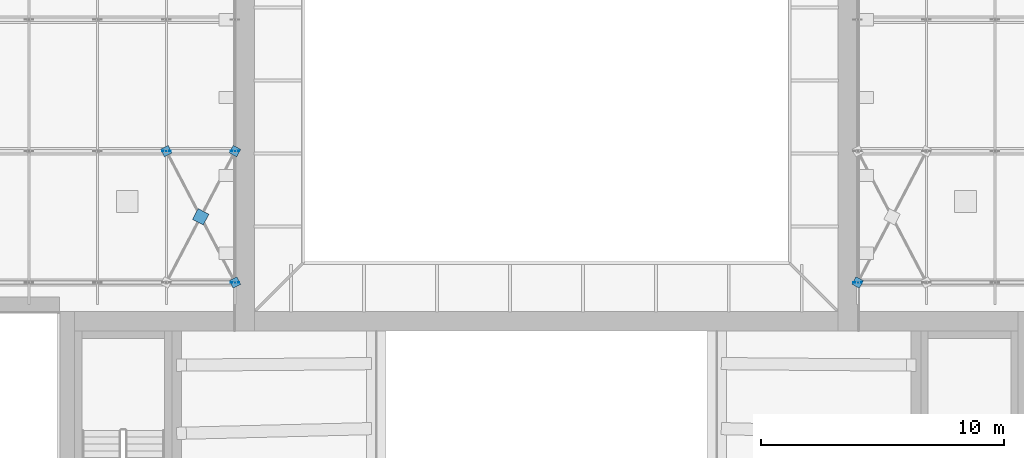
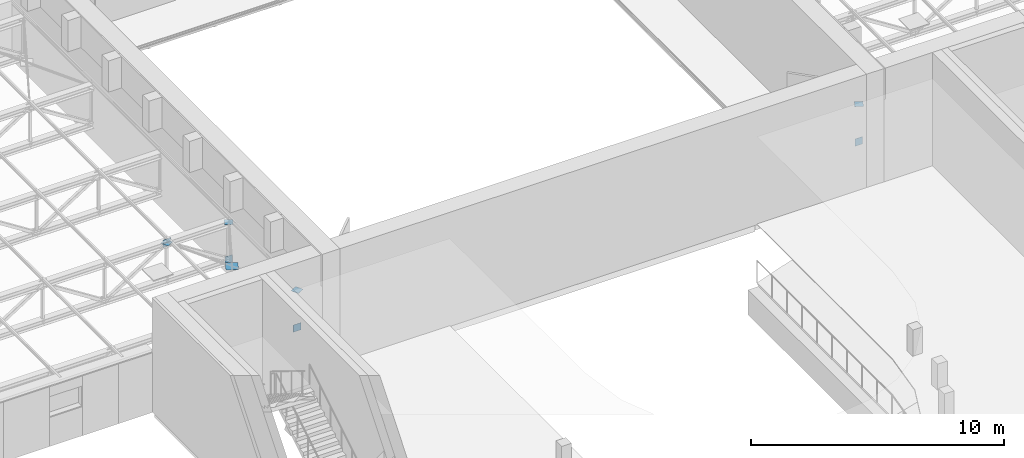
# One storey, part 94 of 132: 9 discrete accessories.
"""IFC4 building model written with IfcOpenShell, lengths in metres."""

import ifcopenshell
import ifcopenshell.guid

model = None  # the IFC model being written
_history = None  # IfcOwnerHistory: only IFC2X3 demands one
_inside = {}  # id of a spatial element -> (the spatial element, [elements in it])
_under = {}  # id of a project, library or spatial element -> (it, [spatial elements below it])
_declared = {}  # id of a project -> (the project, [libraries it declares])
_typed = {}  # id of a type object -> (the type object, [elements of that type])
_made_of = {}  # id of a material, layer set ... -> (it, [elements and type objects made of it])


def new_model(schema):
    """Start an empty IFC model of exactly this schema.

    Asked for "IFC4X3", IfcOpenShell would pick the latest addendum, in which some entities
    have other attributes; the version numbers below select the first issue.
    IFC2X3 requires an IfcOwnerHistory on every rooted entity: one is made here for all.
    """
    global model, _history
    if schema == "IFC4X3":
        model = ifcopenshell.file(schema_version=(4, 3, 0, 0))
    else:
        model = ifcopenshell.file(schema=schema)
    _inside.clear()
    _under.clear()
    _declared.clear()
    _typed.clear()
    _made_of.clear()
    _history = None
    if model.schema == "IFC2X3":
        org = make("IfcOrganization", Name="unknown")
        user = make(
            "IfcPersonAndOrganization",
            ThePerson=make("IfcPerson", FamilyName="unknown"),
            TheOrganization=org,
        )
        app = make(
            "IfcApplication",
            ApplicationDeveloper=org,
            Version="unknown",
            ApplicationFullName="unknown",
            ApplicationIdentifier="unknown",
        )
        _history = make(
            "IfcOwnerHistory",
            OwningUser=user,
            OwningApplication=app,
            ChangeAction="ADDED",
            CreationDate=0,
        )
    return model


def make(cls, **values):
    """One entity of the class cls with the attributes given. An attribute that is None is left unset."""
    return model.create_entity(
        cls, **{name: value for name, value in values.items() if value is not None}
    )


def rooted(cls, **values):
    """An entity with a GlobalId (a new one), such as an element, a storey or a relation."""
    return make(cls, GlobalId=ifcopenshell.guid.new(), OwnerHistory=_history, **values)


def si_unit(unit_type, name, prefix=None):
    """IfcSIUnit, for example si_unit("LENGTHUNIT", "METRE", prefix="MILLI")."""
    return make("IfcSIUnit", UnitType=unit_type, Prefix=prefix, Name=name)


def assignment(units):
    """IfcUnitAssignment: the units of a project."""
    return None if units is None else make("IfcUnitAssignment", Units=units)


def point(xyz):
    """IfcCartesianPoint."""
    return None if xyz is None else make("IfcCartesianPoint", Coordinates=xyz)


def direction(xyz):
    """IfcDirection."""
    return None if xyz is None else make("IfcDirection", DirectionRatios=xyz)


def frame(location, z_axis=None, x_axis=None):
    """IfcAxis2Placement3D, a coordinate frame: its origin and axes. An axis left out is left unset."""
    return make(
        "IfcAxis2Placement3D",
        Location=point(location),
        Axis=direction(z_axis),
        RefDirection=direction(x_axis),
    )


def frame_2d(location, x_axis=None):
    """IfcAxis2Placement2D, a coordinate frame in the plane: its origin and x axis."""
    return make(
        "IfcAxis2Placement2D", Location=point(location), RefDirection=direction(x_axis)
    )


def origin():
    """The frame at (0, 0, 0) with its axes left unset."""
    return frame((0.0, 0.0, 0.0))


def origin_2d():
    """The frame at (0, 0) in the plane with its x axis left unset."""
    return frame_2d((0.0, 0.0))


def place(relative_to, where):
    """IfcLocalPlacement: puts the frame where relative to a parent placement (None: the world)."""
    return make(
        "IfcLocalPlacement", PlacementRelTo=relative_to, RelativePlacement=where
    )


def context(
    kind, dimensions, precision=None, world=None, true_north=None, identifier=None
):
    """IfcGeometricRepresentationContext, for example the 3D "Model" context."""
    return make(
        "IfcGeometricRepresentationContext",
        ContextIdentifier=identifier,
        ContextType=kind,
        CoordinateSpaceDimension=dimensions,
        Precision=precision,
        WorldCoordinateSystem=world,
        TrueNorth=true_north,
    )


def subcontext(parent, identifier, kind, view, scale=None):
    """IfcGeometricRepresentationSubContext, for example "Body" below "Model"."""
    return make(
        "IfcGeometricRepresentationSubContext",
        ContextIdentifier=identifier,
        ContextType=kind,
        ParentContext=parent,
        TargetScale=scale,
        TargetView=view,
    )


def project(units=None, contexts=None):
    """IfcProject with its units and contexts."""
    return rooted(
        "IfcProject",
        Name="project",
        RepresentationContexts=contexts,
        UnitsInContext=assignment(units),
    )


def spatial(cls, under=None, at=None, **own):
    """A site, building, storey or space (cls), placed at a placement, below another one or the project."""
    s = rooted(cls, ObjectPlacement=at, **own)
    if under is not None:
        _under.setdefault(under.id(), (under, []))[1].append(s)
    return s


def profile(cls, at=None, kind="AREA", **sizes):
    """A parametric profile (cls). Its sizes go by their IFC names, for example OverallWidth=200.0."""
    return make(cls, ProfileType=kind, Position=at, **sizes)


def rectangle(**sizes):
    """IfcRectangleProfileDef."""
    return profile("IfcRectangleProfileDef", **sizes)


def extrude(swept, where, along, depth):
    """IfcExtrudedAreaSolid: the profile swept, set in the frame where, extruded along a direction by depth."""
    return make(
        "IfcExtrudedAreaSolid",
        SweptArea=swept,
        Position=where,
        ExtrudedDirection=direction(along),
        Depth=depth,
    )


def shape(context_of_items, identifier, shape_type, items):
    """IfcShapeRepresentation: the items that make up one representation, for example the "Body"."""
    return make(
        "IfcShapeRepresentation",
        ContextOfItems=context_of_items,
        RepresentationIdentifier=identifier,
        RepresentationType=shape_type,
        Items=items,
    )


def material(Name=None, Category=None):
    """IfcMaterial."""
    return make("IfcMaterial", Name=Name, Category=Category)


def layer(
    of_material, thickness, ventilated=None, Name=None, Category=None, Priority=None
):
    """IfcMaterialLayer: one layer of a wall or slab, of a material (None: an air gap)."""
    return make(
        "IfcMaterialLayer",
        Material=of_material,
        LayerThickness=thickness,
        IsVentilated=ventilated,
        Name=Name,
        Category=Category,
        Priority=Priority,
    )


def layer_set(layers, Name=None):
    """IfcMaterialLayerSet."""
    return make("IfcMaterialLayerSet", MaterialLayers=layers, LayerSetName=Name)


def made_of(thing, what):
    """Note that an element or type object is made of a material, layer set ...; save() writes the relation."""
    if what is not None:
        _made_of.setdefault(what.id(), (what, []))[1].append(thing)
    return thing


def type_object(cls, material=None, **own):
    """A type object (cls), such as IfcWallType, which elements share."""
    return made_of(rooted(cls, **own), material)


def element(
    cls,
    number,
    at=None,
    inside=None,
    cuts=None,
    type_object=None,
    material=None,
    context=None,
    identifier="Body",
    shape_type=None,
    held_by="IfcProductDefinitionShape",
    body=None,
    shapes=None,
    **own,
):
    """One element of the class cls, such as IfcWall. Its Tag is "e" and its number.

    at: its placement. inside: the storey or other place that contains it. cuts: it is an
    opening in that element (IfcRelVoidsElement). A single representation is given by context,
    identifier, shape_type and body (its items); several are given by shapes. held_by: the class
    of the entity that holds the representations. save() writes the other relations.
    """
    e = rooted(cls, Tag="e%d" % number, ObjectPlacement=at, **own)
    if body is not None:
        shapes = [shape(context, identifier, shape_type, body)]
    if shapes is not None:
        e.Representation = make(held_by, Representations=shapes)
    if inside is not None:
        _inside.setdefault(inside.id(), (inside, []))[1].append(e)
    if cuts is not None:
        rooted(
            "IfcRelVoidsElement", RelatingBuildingElement=cuts, RelatedOpeningElement=e
        )
    if type_object is not None:
        _typed.setdefault(type_object.id(), (type_object, []))[1].append(e)
    return made_of(e, material)


def aggregate(whole, parts):
    """IfcRelAggregates: a whole, such as a stair, and the parts it consists of."""
    return rooted("IfcRelAggregates", RelatingObject=whole, RelatedObjects=parts)


def save(model, path):
    """Write the relations noted so far, then the file.

    IfcRelAggregates (storeys below a building ...), IfcRelContainedInSpatialStructure (elements
    in a storey), IfcRelDefinesByType, IfcRelAssociatesMaterial and IfcRelDeclares: one each for
    every whole, place, type object, material and project.
    """
    for whole, parts in _under.values():
        aggregate(whole, parts)
    for where, things in _inside.values():
        rooted(
            "IfcRelContainedInSpatialStructure",
            RelatedElements=things,
            RelatingStructure=where,
        )
    for kind, things in _typed.values():
        rooted("IfcRelDefinesByType", RelatedObjects=things, RelatingType=kind)
    for what, things in _made_of.values():
        rooted("IfcRelAssociatesMaterial", RelatedObjects=things, RelatingMaterial=what)
    for by, libraries in _declared.values():
        rooted("IfcRelDeclares", RelatingContext=by, RelatedDefinitions=libraries)
    model.write(path)


model = new_model("IFC4")

# Units and contexts
model_context = context("Model", 3, precision=1e-05, world=origin(), true_north=direction((0.0, 1.0)))
body_context = subcontext(model_context, "Body", "Model", "MODEL_VIEW")
ifc_project = project(units=[si_unit("LENGTHUNIT", "METRE"), si_unit("AREAUNIT", "SQUARE_METRE"), si_unit("VOLUMEUNIT", "CUBIC_METRE"), si_unit("PLANEANGLEUNIT", "RADIAN"), si_unit("MASSUNIT", "GRAM", prefix="KILO")], contexts=[model_context])

# Site, building, storey
site_placement = place(None, origin())
site = spatial("IfcSite", under=ifc_project, at=site_placement, CompositionType="ELEMENT")
building_placement = place(site_placement, origin())
building = spatial("IfcBuilding", under=site, at=building_placement, Name="Lunette Opera House", CompositionType="ELEMENT")
storey_placement = place(building_placement, frame((0.0, 0.0, 17.0)))
storey = spatial("IfcBuildingStorey", under=building, at=storey_placement, Name="L03", CompositionType="ELEMENT", Elevation=17.0)

# Discrete accessories
ifc_material_1 = material(Name="Steel S355", Category="steel")
ifc_layer_1 = layer(ifc_material_1, 0.011962890625)
ifc_layer_set_1 = layer_set([ifc_layer_1], Name="Steel S355")
discrete_accessory_type_1 = type_object("IfcDiscreteAccessoryType", Name="BRACE GUSSET PLATE 12", PredefinedType="USERDEFINED", material=ifc_layer_set_1)
for number, where, z_axis, x_axis, name in (
    (1, (83.199951171875, 97.199951171875, 0.599853515625), (0.0, 0.0, 1.0), (1.0, 0.0, 0.0), "Gusset plate 54"),
    (2, (80.375, 102.60009765625, 2.39990234375), (0.0, 0.0, 1.0), (1.0, 0.0, 0.0), "Gusset plate 62"),
    (3, (83.199951171875, 102.60009765625, 0.599853515625), (0.0, 0.0, 1.0), (1.0, 0.0, 0.0), "Gusset plate 63"),
):
    element("IfcDiscreteAccessory", number, at=place(storey_placement, frame(where, z_axis=z_axis, x_axis=x_axis)), inside=storey, type_object=discrete_accessory_type_1, Name=name, ObjectType="GUSSET PLATE", PredefinedType="USERDEFINED", context=body_context, shape_type="SweptSolid", body=[
        extrude(rectangle(XDim=0.35009765625, YDim=0.011962890625, at=origin_2d()), origin(), (0.0, 0.0, 1.0), 0.35009765625),
    ])
discrete_accessory_1_placement = place(storey_placement, frame((83.199951171875, 102.60009765625, 2.56884765625), z_axis=(0.0, 0.0, 1.0), x_axis=(0.463546584757, 0.886072549942, 0.0)))
element("IfcDiscreteAccessory", 4, at=discrete_accessory_1_placement, inside=storey, type_object=discrete_accessory_type_1, Name="Gusset plate 94", ObjectType="GUSSET PLATE", PredefinedType="USERDEFINED", context=body_context, shape_type="SweptSolid", body=[
    extrude(rectangle(XDim=0.35009765625, YDim=0.35009765625, at=origin_2d()), origin(), (0.0, 0.0, 1.0), 0.011962890625),
])
discrete_accessory_2_placement = place(storey_placement, frame((108.800048828125, 97.199951171875, 0.599853515625), z_axis=(0.0, 0.0, 1.0), x_axis=(1.0, 0.0, 0.0)))
element("IfcDiscreteAccessory", 5, at=discrete_accessory_2_placement, inside=storey, type_object=discrete_accessory_type_1, Name="Gusset plate 99", ObjectType="GUSSET PLATE", PredefinedType="USERDEFINED", context=body_context, shape_type="SweptSolid", body=[
    extrude(rectangle(XDim=0.35009765625, YDim=0.011962890625, at=origin_2d()), origin(), (0.0, 0.0, 1.0), 0.35009765625),
])
for number, where, z_axis, x_axis, name in (
    (6, (108.800048828125, 97.199951171875, 2.56884765625), (0.0, 0.0, 1.0), (0.463546584757, 0.886072549942, 0.0), "Gusset plate 144"),
    (7, (83.199951171875, 97.199951171875, 2.56884765625), (0.0, 0.0, 1.0), (-0.463418221361, 0.886139691082, 0.0), "Gusset plate 332"),
    (8, (80.375, 102.60009765625, 2.56884765625), (0.0, 0.0, 1.0), (-0.463676484795, 0.886004580941, 0.0), "Gusset plate 333"),
):
    element("IfcDiscreteAccessory", number, at=place(storey_placement, frame(where, z_axis=z_axis, x_axis=x_axis)), inside=storey, type_object=discrete_accessory_type_1, Name=name, ObjectType="GUSSET PLATE", PredefinedType="USERDEFINED", context=body_context, shape_type="SweptSolid", body=[
        extrude(rectangle(XDim=0.35009765625, YDim=0.35009765625, at=origin_2d()), origin(), (0.0, 0.0, 1.0), 0.011962890625),
    ])
ifc_material_2 = material(Name="Steel S355", Category="steel")
ifc_layer_2 = layer(ifc_material_2, 0.01611328125)
ifc_layer_set_2 = layer_set([ifc_layer_2], Name="Steel S355")
discrete_accessory_type_2 = type_object("IfcDiscreteAccessoryType", Name="X-BRACE NODE PLATE 16", PredefinedType="USERDEFINED", material=ifc_layer_set_2)
discrete_accessory_3_placement = place(storey_placement, frame((81.7880859375, 99.89990234375, 2.56689453125), z_axis=(0.0, 0.0, 1.0), x_axis=(0.463546584757, 0.886072549942, 0.0)))
element("IfcDiscreteAccessory", 9, at=discrete_accessory_3_placement, inside=storey, type_object=discrete_accessory_type_2, Name="X-brace node plate 2", ObjectType="NODE PLATE", PredefinedType="USERDEFINED", context=body_context, shape_type="SweptSolid", body=[
    extrude(rectangle(XDim=0.5, YDim=0.5, at=origin_2d()), origin(), (0.0, 0.0, 1.0), 0.01611328125),
])

save(model, "model.ifc")
